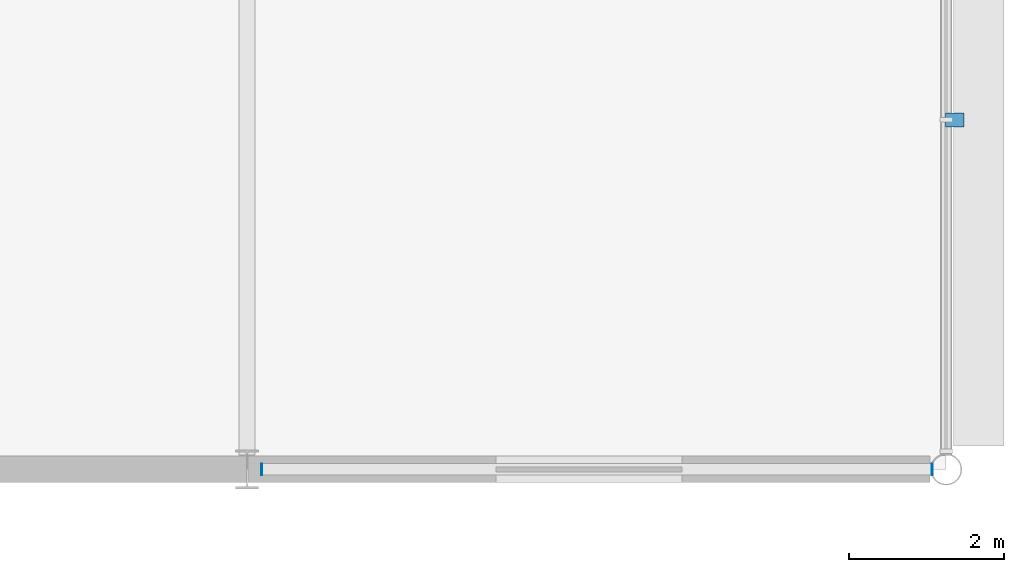
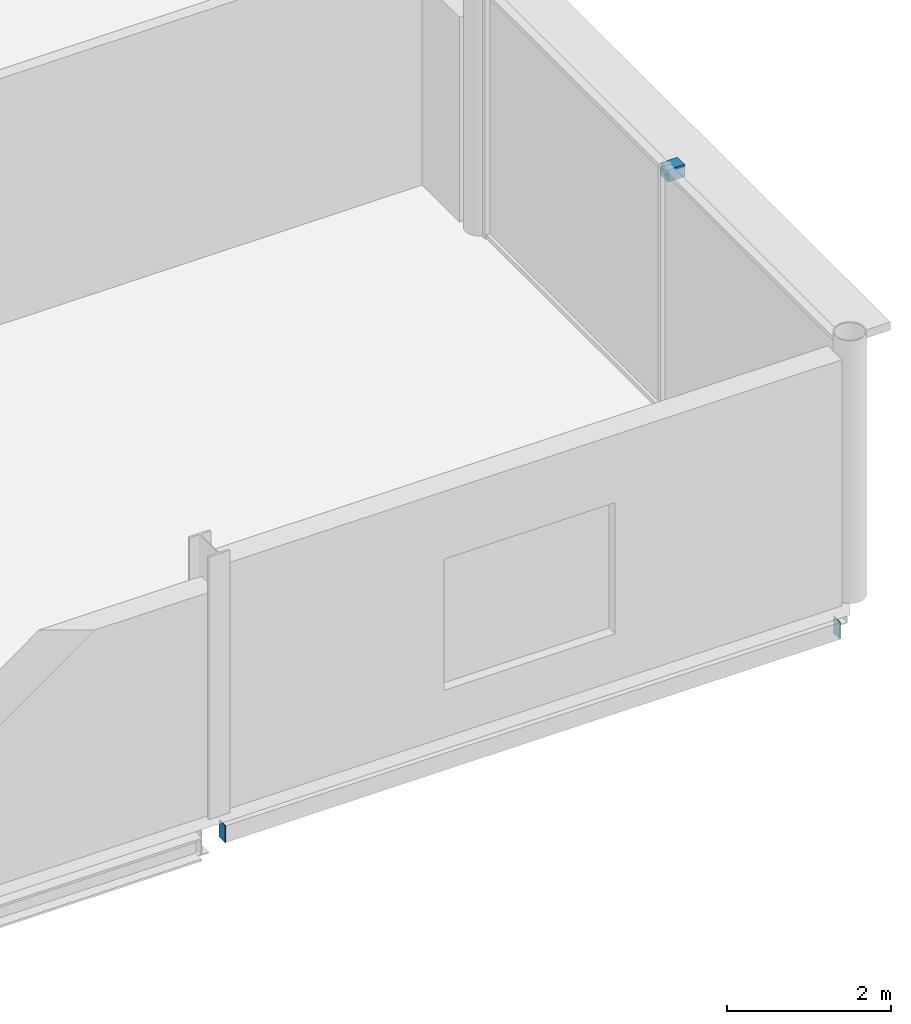
# One storey, part 74 of 96: 3 discrete accessories.
"""IFC4 building model written with IfcOpenShell, lengths in metres."""

from ifc_helpers import new_model, si_unit, direction, frame, origin, origin_2d, place, context, subcontext, project, spatial, polyline, rectangle, outline, extrude, material, layer, layer_set, type_object, element, save


model = new_model("IFC4")

# Units and contexts
model_context = context("Model", 3, precision=1e-05, world=origin(), true_north=direction((0.0, 1.0)))
body_context = subcontext(model_context, "Body", "Model", "MODEL_VIEW")
ifc_project = project(units=[si_unit("LENGTHUNIT", "METRE"), si_unit("AREAUNIT", "SQUARE_METRE"), si_unit("VOLUMEUNIT", "CUBIC_METRE"), si_unit("PLANEANGLEUNIT", "RADIAN"), si_unit("MASSUNIT", "GRAM", prefix="KILO")], contexts=[model_context])

# Site, building, storey
site_placement = place(None, origin())
site = spatial("IfcSite", under=ifc_project, at=site_placement, CompositionType="ELEMENT")
building_placement = place(site_placement, origin())
building = spatial("IfcBuilding", under=site, at=building_placement, Name="Kisiwana Market Hall", CompositionType="ELEMENT")
storey_placement = place(building_placement, frame((0.0, 0.0, 25.5)))
storey = spatial("IfcBuildingStorey", under=building, at=storey_placement, Name="L05", CompositionType="ELEMENT", Elevation=25.5)

# Discrete accessories
ifc_material_1 = material(Name="Steel S355", Category="steel")
discrete_accessory_type_1 = type_object("IfcDiscreteAccessoryType", Name="ACC-BRACKET-STL", PredefinedType="BRACKET", material=ifc_material_1)
discrete_accessory_1_placement = place(storey_placement, frame((198.110107421875, 13.5, 3.44482421875), z_axis=(0.0, 0.0, 1.0), x_axis=(0.0, 1.0, 0.0)))
element("IfcDiscreteAccessory", 1, at=discrete_accessory_1_placement, inside=storey, type_object=discrete_accessory_type_1, Name="Sunshade steel bracket BRK-100", PredefinedType="BRACKET", context=body_context, shape_type="SweptSolid", body=[
    extrude(rectangle(XDim=0.179931640625, YDim=0.239990234375, at=origin_2d()), origin(), (0.0, 0.0, 1.0), 0.179931640625),
])
ifc_material_2 = material(Name="Steel S355", Category="steel")
ifc_layer = layer(ifc_material_2, 0.011962890625)
ifc_layer_set = layer_set([ifc_layer], Name="ACC-ENDCAP-STL")
discrete_accessory_type_2 = type_object("IfcDiscreteAccessoryType", Name="ACC-ENDCAP-STL", PredefinedType="USERDEFINED", material=ifc_layer_set)
discrete_accessory_2_placement = place(storey_placement, frame((0.0, 0.0, -0.56494140625)))
element("IfcDiscreteAccessory", 2, at=discrete_accessory_2_placement, inside=storey, type_object=discrete_accessory_type_2, Name="End cap plate EC-0072", ObjectType="End cap plate", PredefinedType="USERDEFINED", context=body_context, shape_type="SweptSolid", body=[
    extrude(outline(polyline([(197.817626953125, 8.925048828125), (197.82958984375, 8.925048828125), (197.82958984375, 9.074951171875), (197.817626953125, 9.074951171875), (197.817626953125, 8.925048828125)])), origin(), (0.0, 0.0, 1.0), 0.25),
])
discrete_accessory_3_placement = place(storey_placement, frame((0.0, 0.0, -0.56494140625)))
element("IfcDiscreteAccessory", 3, at=discrete_accessory_3_placement, inside=storey, type_object=discrete_accessory_type_2, Name="End cap plate EC-0073", ObjectType="End cap plate", PredefinedType="USERDEFINED", context=body_context, shape_type="SweptSolid", body=[
    extrude(outline(polyline([(189.193359375, 8.925048828125), (189.193359375, 9.074951171875), (189.181396484375, 9.074951171875), (189.181396484375, 8.925048828125), (189.193359375, 8.925048828125)])), origin(), (0.0, 0.0, 1.0), 0.25),
])

save(model, "model.ifc")
